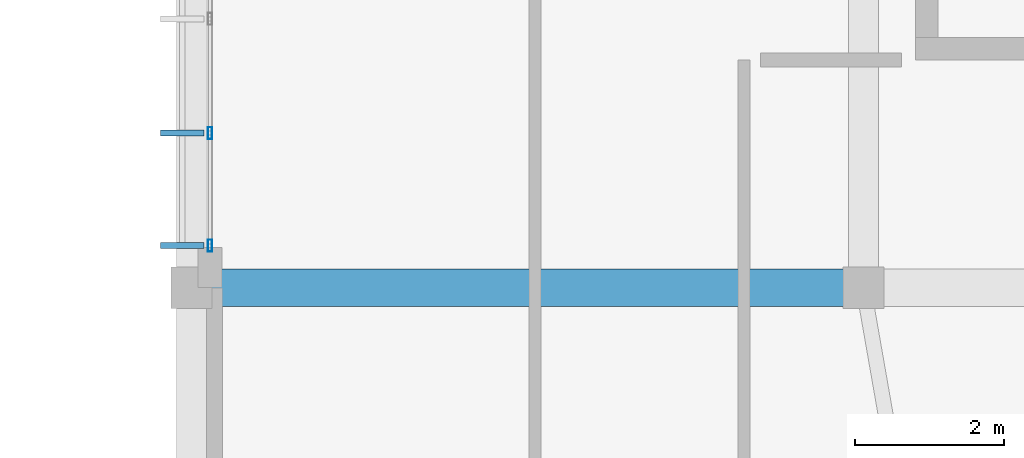
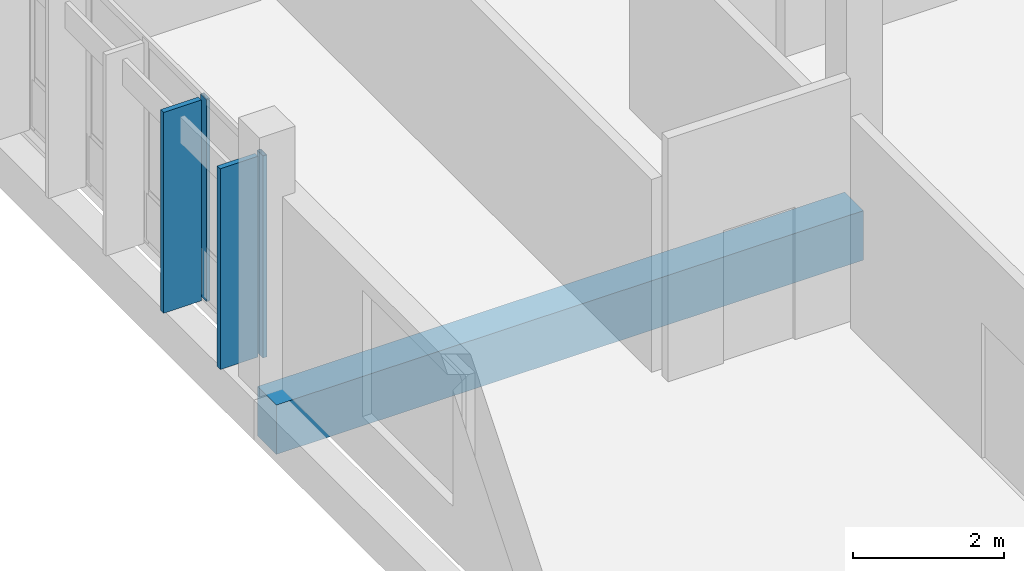
# One storey, part 22 of 94: 4 members, 1 beam, 1 element without a shape of its own.
"""IFC4 building model written with IfcOpenShell, lengths in metres."""

import ifcopenshell
import ifcopenshell.guid

model = None  # the IFC model being written
_history = None  # IfcOwnerHistory: only IFC2X3 demands one
_inside = {}  # id of a spatial element -> (the spatial element, [elements in it])
_under = {}  # id of a project, library or spatial element -> (it, [spatial elements below it])
_declared = {}  # id of a project -> (the project, [libraries it declares])
_typed = {}  # id of a type object -> (the type object, [elements of that type])
_made_of = {}  # id of a material, layer set ... -> (it, [elements and type objects made of it])


def new_model(schema):
    """Start an empty IFC model of exactly this schema.

    Asked for "IFC4X3", IfcOpenShell would pick the latest addendum, in which some entities
    have other attributes; the version numbers below select the first issue.
    IFC2X3 requires an IfcOwnerHistory on every rooted entity: one is made here for all.
    """
    global model, _history
    if schema == "IFC4X3":
        model = ifcopenshell.file(schema_version=(4, 3, 0, 0))
    else:
        model = ifcopenshell.file(schema=schema)
    _inside.clear()
    _under.clear()
    _declared.clear()
    _typed.clear()
    _made_of.clear()
    _history = None
    if model.schema == "IFC2X3":
        org = make("IfcOrganization", Name="unknown")
        user = make(
            "IfcPersonAndOrganization",
            ThePerson=make("IfcPerson", FamilyName="unknown"),
            TheOrganization=org,
        )
        app = make(
            "IfcApplication",
            ApplicationDeveloper=org,
            Version="unknown",
            ApplicationFullName="unknown",
            ApplicationIdentifier="unknown",
        )
        _history = make(
            "IfcOwnerHistory",
            OwningUser=user,
            OwningApplication=app,
            ChangeAction="ADDED",
            CreationDate=0,
        )
    return model


def make(cls, **values):
    """One entity of the class cls with the attributes given. An attribute that is None is left unset."""
    return model.create_entity(
        cls, **{name: value for name, value in values.items() if value is not None}
    )


def rooted(cls, **values):
    """An entity with a GlobalId (a new one), such as an element, a storey or a relation."""
    return make(cls, GlobalId=ifcopenshell.guid.new(), OwnerHistory=_history, **values)


def si_unit(unit_type, name, prefix=None):
    """IfcSIUnit, for example si_unit("LENGTHUNIT", "METRE", prefix="MILLI")."""
    return make("IfcSIUnit", UnitType=unit_type, Prefix=prefix, Name=name)


def assignment(units):
    """IfcUnitAssignment: the units of a project."""
    return None if units is None else make("IfcUnitAssignment", Units=units)


def point(xyz):
    """IfcCartesianPoint."""
    return None if xyz is None else make("IfcCartesianPoint", Coordinates=xyz)


def direction(xyz):
    """IfcDirection."""
    return None if xyz is None else make("IfcDirection", DirectionRatios=xyz)


def frame(location, z_axis=None, x_axis=None):
    """IfcAxis2Placement3D, a coordinate frame: its origin and axes. An axis left out is left unset."""
    return make(
        "IfcAxis2Placement3D",
        Location=point(location),
        Axis=direction(z_axis),
        RefDirection=direction(x_axis),
    )


def frame_2d(location, x_axis=None):
    """IfcAxis2Placement2D, a coordinate frame in the plane: its origin and x axis."""
    return make(
        "IfcAxis2Placement2D", Location=point(location), RefDirection=direction(x_axis)
    )


def origin():
    """The frame at (0, 0, 0) with its axes left unset."""
    return frame((0.0, 0.0, 0.0))


def origin_2d():
    """The frame at (0, 0) in the plane with its x axis left unset."""
    return frame_2d((0.0, 0.0))


def place(relative_to, where):
    """IfcLocalPlacement: puts the frame where relative to a parent placement (None: the world)."""
    return make(
        "IfcLocalPlacement", PlacementRelTo=relative_to, RelativePlacement=where
    )


def context(
    kind, dimensions, precision=None, world=None, true_north=None, identifier=None
):
    """IfcGeometricRepresentationContext, for example the 3D "Model" context."""
    return make(
        "IfcGeometricRepresentationContext",
        ContextIdentifier=identifier,
        ContextType=kind,
        CoordinateSpaceDimension=dimensions,
        Precision=precision,
        WorldCoordinateSystem=world,
        TrueNorth=true_north,
    )


def subcontext(parent, identifier, kind, view, scale=None):
    """IfcGeometricRepresentationSubContext, for example "Body" below "Model"."""
    return make(
        "IfcGeometricRepresentationSubContext",
        ContextIdentifier=identifier,
        ContextType=kind,
        ParentContext=parent,
        TargetScale=scale,
        TargetView=view,
    )


def project(units=None, contexts=None):
    """IfcProject with its units and contexts."""
    return rooted(
        "IfcProject",
        Name="project",
        RepresentationContexts=contexts,
        UnitsInContext=assignment(units),
    )


def spatial(cls, under=None, at=None, **own):
    """A site, building, storey or space (cls), placed at a placement, below another one or the project."""
    s = rooted(cls, ObjectPlacement=at, **own)
    if under is not None:
        _under.setdefault(under.id(), (under, []))[1].append(s)
    return s


def profile(cls, at=None, kind="AREA", **sizes):
    """A parametric profile (cls). Its sizes go by their IFC names, for example OverallWidth=200.0."""
    return make(cls, ProfileType=kind, Position=at, **sizes)


def rectangle(**sizes):
    """IfcRectangleProfileDef."""
    return profile("IfcRectangleProfileDef", **sizes)


def hollow_rectangle(**sizes):
    """IfcRectangleHollowProfileDef."""
    return profile("IfcRectangleHollowProfileDef", **sizes)


def extrude(swept, where, along, depth):
    """IfcExtrudedAreaSolid: the profile swept, set in the frame where, extruded along a direction by depth."""
    return make(
        "IfcExtrudedAreaSolid",
        SweptArea=swept,
        Position=where,
        ExtrudedDirection=direction(along),
        Depth=depth,
    )


def shape(context_of_items, identifier, shape_type, items):
    """IfcShapeRepresentation: the items that make up one representation, for example the "Body"."""
    return make(
        "IfcShapeRepresentation",
        ContextOfItems=context_of_items,
        RepresentationIdentifier=identifier,
        RepresentationType=shape_type,
        Items=items,
    )


def material(Name=None, Category=None):
    """IfcMaterial."""
    return make("IfcMaterial", Name=Name, Category=Category)


def material_profile(
    of_material, cross_section, Name=None, Category=None, Priority=None
):
    """IfcMaterialProfile: a cross section and its material."""
    return make(
        "IfcMaterialProfile",
        Name=Name,
        Material=of_material,
        Profile=cross_section,
        Priority=Priority,
        Category=Category,
    )


def profile_set(profiles, Name=None, composite=None):
    """IfcMaterialProfileSet."""
    return make(
        "IfcMaterialProfileSet",
        Name=Name,
        MaterialProfiles=profiles,
        CompositeProfile=composite,
    )


def made_of(thing, what):
    """Note that an element or type object is made of a material, layer set ...; save() writes the relation."""
    if what is not None:
        _made_of.setdefault(what.id(), (what, []))[1].append(thing)
    return thing


def type_object(cls, material=None, **own):
    """A type object (cls), such as IfcWallType, which elements share."""
    return made_of(rooted(cls, **own), material)


def element(
    cls,
    number,
    at=None,
    inside=None,
    cuts=None,
    type_object=None,
    material=None,
    context=None,
    identifier="Body",
    shape_type=None,
    held_by="IfcProductDefinitionShape",
    body=None,
    shapes=None,
    **own,
):
    """One element of the class cls, such as IfcWall. Its Tag is "e" and its number.

    at: its placement. inside: the storey or other place that contains it. cuts: it is an
    opening in that element (IfcRelVoidsElement). A single representation is given by context,
    identifier, shape_type and body (its items); several are given by shapes. held_by: the class
    of the entity that holds the representations. save() writes the other relations.
    """
    e = rooted(cls, Tag="e%d" % number, ObjectPlacement=at, **own)
    if body is not None:
        shapes = [shape(context, identifier, shape_type, body)]
    if shapes is not None:
        e.Representation = make(held_by, Representations=shapes)
    if inside is not None:
        _inside.setdefault(inside.id(), (inside, []))[1].append(e)
    if cuts is not None:
        rooted(
            "IfcRelVoidsElement", RelatingBuildingElement=cuts, RelatedOpeningElement=e
        )
    if type_object is not None:
        _typed.setdefault(type_object.id(), (type_object, []))[1].append(e)
    return made_of(e, material)


def aggregate(whole, parts):
    """IfcRelAggregates: a whole, such as a stair, and the parts it consists of."""
    return rooted("IfcRelAggregates", RelatingObject=whole, RelatedObjects=parts)


def save(model, path):
    """Write the relations noted so far, then the file.

    IfcRelAggregates (storeys below a building ...), IfcRelContainedInSpatialStructure (elements
    in a storey), IfcRelDefinesByType, IfcRelAssociatesMaterial and IfcRelDeclares: one each for
    every whole, place, type object, material and project.
    """
    for whole, parts in _under.values():
        aggregate(whole, parts)
    for where, things in _inside.values():
        rooted(
            "IfcRelContainedInSpatialStructure",
            RelatedElements=things,
            RelatingStructure=where,
        )
    for kind, things in _typed.values():
        rooted("IfcRelDefinesByType", RelatedObjects=things, RelatingType=kind)
    for what, things in _made_of.values():
        rooted("IfcRelAssociatesMaterial", RelatedObjects=things, RelatingMaterial=what)
    for by, libraries in _declared.values():
        rooted("IfcRelDeclares", RelatingContext=by, RelatedDefinitions=libraries)
    model.write(path)


model = new_model("IFC4")

# Units and contexts
model_context = context("Model", 3, precision=1e-05, world=origin(), true_north=direction((0.0, 1.0)))
body_context = subcontext(model_context, "Body", "Model", "MODEL_VIEW")
ifc_project = project(units=[si_unit("LENGTHUNIT", "METRE"), si_unit("AREAUNIT", "SQUARE_METRE"), si_unit("VOLUMEUNIT", "CUBIC_METRE"), si_unit("PLANEANGLEUNIT", "RADIAN"), si_unit("MASSUNIT", "GRAM", prefix="KILO")], contexts=[model_context])

# Site, building, storey
site_placement = place(None, origin())
site = spatial("IfcSite", under=ifc_project, at=site_placement, CompositionType="ELEMENT")
building_placement = place(site_placement, origin())
building = spatial("IfcBuilding", under=site, at=building_placement, Name="Chiffa Square Polytechnic", CompositionType="ELEMENT")
storey_placement = place(building_placement, frame((0.0, 0.0, 18.0)))
storey = spatial("IfcBuildingStorey", under=building, at=storey_placement, Name="L04", CompositionType="ELEMENT", Elevation=18.0)

# Beam
ifc_material_1 = material(Name="Concrete C40/50", Category="concrete")
ifc_material_profile_1 = material_profile(ifc_material_1, rectangle(XDim=0.5, YDim=0.800048828125, at=origin_2d()), Name="RC 500x800")
ifc_profile_set_1 = profile_set([ifc_material_profile_1], Name="Concrete C40/50")
beam_type = type_object("IfcBeamType", Name="BM-RC-500X800", PredefinedType="BEAM", material=ifc_profile_set_1)
beam_placement = place(storey_placement, frame((112.199951171875, 14.39990234375, -0.639892578125), z_axis=(1.0, 0.0, 0.0), x_axis=(0.0, 1.0, 0.0)))
element("IfcBeam", 1, at=beam_placement, inside=storey, type_object=beam_type, Name="Primary floor girder BM-V1-L04-X-1122-0144", PredefinedType="BEAM", context=body_context, shape_type="SweptSolid", body=[
    extrude(rectangle(XDim=0.5, YDim=0.800048828125, at=origin_2d()), origin(), (0.0, 0.0, 1.0), 9.0),
])

# Curtain wall, members
ifc_material_2 = material(Name="Aluminium EN AW-6060 T66 and glulam shading", Category="wood")
curtain_wall_type = type_object("IfcCurtainWallType", Name="CW-VERT-450X380", PredefinedType="USERDEFINED", material=ifc_material_2)
curtain_wall_placement = place(storey_placement, origin())
curtain_wall = element("IfcCurtainWall", 2, at=curtain_wall_placement, inside=storey, type_object=curtain_wall_type, Name="Curtain wall CW-V1-L04-138", ObjectType="CURTAIN WALL", PredefinedType="USERDEFINED")
ifc_material_3 = material(Name="Aluminium EN AW-6060 T66", Category="aluminium")
ifc_material_profile_2 = material_profile(ifc_material_3, hollow_rectangle(XDim=0.06005859375, YDim=0.159912109375, WallThickness=0.00390625, at=origin_2d()), Name="ALU 60x160x4")
ifc_profile_set_2 = profile_set([ifc_material_profile_2], Name="Aluminium EN AW-6060 T66")
member_type_1 = type_object("IfcMemberType", Name="CWM-ALU-65X150", PredefinedType="MULLION", material=ifc_profile_set_2)
member_1_placement = place(storey_placement, frame((112.449951171875, 16.469970703125, 0.0), z_axis=(0.0, 0.0, 1.0), x_axis=(1.0, 0.0, 0.0)))
member_1 = element("IfcMember", 3, at=member_1_placement, type_object=member_type_1, Name="Curtain wall mullion CW-V1-L04-138-M03", PredefinedType="MULLION", context=body_context, shape_type="SweptSolid", body=[
    extrude(hollow_rectangle(XDim=0.06005859375, YDim=0.159912109375, WallThickness=0.00390625, at=origin_2d()), origin(), (0.0, 0.0, 1.0), 3.27490234375),
])
member_2_placement = place(storey_placement, frame((112.449951171875, 14.965087890625, 0.0), z_axis=(0.0, 0.0, 1.0), x_axis=(1.0, 0.0, 0.0)))
member_2 = element("IfcMember", 4, at=member_2_placement, type_object=member_type_1, Name="Curtain wall mullion CW-V1-L04-138-M04", PredefinedType="MULLION", context=body_context, shape_type="SweptSolid", body=[
    extrude(hollow_rectangle(XDim=0.06005859375, YDim=0.159912109375, WallThickness=0.00390625, at=origin_2d()), origin(), (0.0, 0.0, 1.0), 3.27490234375),
])
ifc_material_4 = material(Name="Glulam GL28h", Category="wood")
ifc_material_profile_3 = material_profile(ifc_material_4, rectangle(XDim=0.080078125, YDim=0.580078125, at=origin_2d()), Name="GL28h 80x580")
ifc_profile_set_3 = profile_set([ifc_material_profile_3], Name="Glulam GL28h")
member_type_2 = type_object("IfcMemberType", Name="CWM-GL-80X580", PredefinedType="MULLION", material=ifc_profile_set_3)
member_3_placement = place(storey_placement, frame((112.077880859375, 16.469970703125, 0.010009765625), z_axis=(0.0, 0.0, 1.0), x_axis=(0.0, -1.0, 0.0)))
member_3 = element("IfcMember", 5, at=member_3_placement, type_object=member_type_2, Name="Exterior glulam solar fin CW-V1-L04-138-FN03", PredefinedType="MULLION", context=body_context, shape_type="SweptSolid", body=[
    extrude(rectangle(XDim=0.080078125, YDim=0.580078125, at=origin_2d()), origin(), (0.0, 0.0, 1.0), 3.2548828125),
])
member_4_placement = place(storey_placement, frame((112.077880859375, 14.965087890625, 0.010009765625), z_axis=(0.0, 0.0, 1.0), x_axis=(0.0, -1.0, 0.0)))
member_4 = element("IfcMember", 6, at=member_4_placement, type_object=member_type_2, Name="Exterior glulam solar fin CW-V1-L04-138-FN04", PredefinedType="MULLION", context=body_context, shape_type="SweptSolid", body=[
    extrude(rectangle(XDim=0.080078125, YDim=0.580078125, at=origin_2d()), origin(), (0.0, 0.0, 1.0), 3.2548828125),
])
aggregate(curtain_wall, [member_1, member_3, member_2, member_4])

save(model, "model.ifc")
